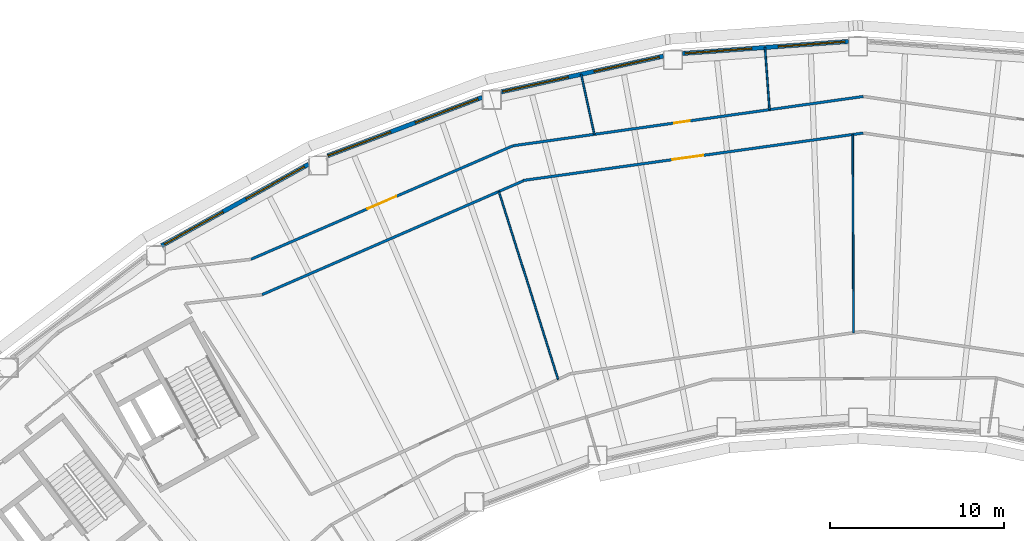
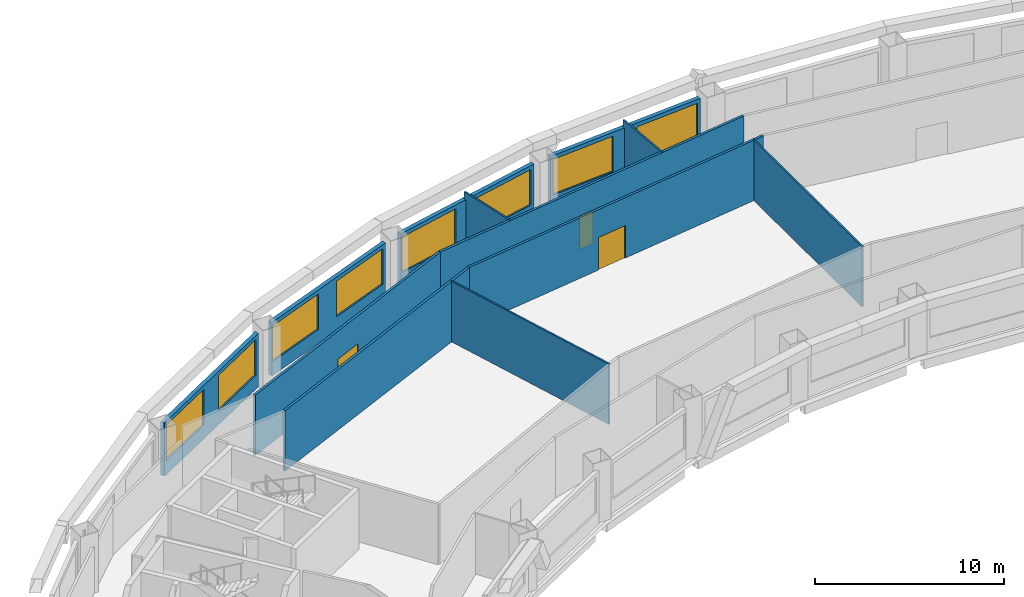
# One storey, part 5 of 12: 12 walls, 8 windows, 3 doors, 11 openings.
"""IFC4 building model written with IfcOpenShell, lengths in metres."""

from ifc_helpers import new_model, si_unit, direction, frame, frame_2d, origin, place, context, subcontext, project, spatial, rectangle, extrude, material, layer, layer_set, type_object, element, fill, save


model = new_model("IFC4")

# Units and contexts
model_context = context("Model", 3, precision=1e-05, world=origin(), true_north=direction((0.0, 1.0)))
body_context = subcontext(model_context, "Body", "Model", "MODEL_VIEW")
ifc_project = project(units=[si_unit("LENGTHUNIT", "METRE"), si_unit("AREAUNIT", "SQUARE_METRE"), si_unit("VOLUMEUNIT", "CUBIC_METRE"), si_unit("PLANEANGLEUNIT", "RADIAN"), si_unit("MASSUNIT", "GRAM", prefix="KILO")], contexts=[model_context])

# Site, building, storey
site_placement = place(None, origin())
site = spatial("IfcSite", under=ifc_project, at=site_placement, CompositionType="ELEMENT")
building_placement = place(site_placement, origin())
building = spatial("IfcBuilding", under=site, at=building_placement, Name="Tuul Gate Civic Tower", CompositionType="ELEMENT")
storey_placement = place(building_placement, frame((0.0, 0.0, 103.5)))
storey = spatial("IfcBuildingStorey", under=building, at=storey_placement, Name="Level 23", CompositionType="ELEMENT", Elevation=103.5)

# Wall, opening, door
ifc_material_1 = material(Name="Gypsum board partition")
ifc_layer_1 = layer(ifc_material_1, 0.14990234375)
ifc_layer_set_1 = layer_set([ifc_layer_1], Name="Gypsum board partition")
wall_type_1 = type_object("IfcWallType", Name="Corridor wall P150", PredefinedType="PARTITIONING", material=ifc_layer_set_1)
wall_1_placement = place(storey_placement, frame((-10.03125, 7.966796875, 0.0), z_axis=(0.0, 0.0, 1.0), x_axis=(0.990230655187, 0.139439053098, 0.0)))
wall_1 = element("IfcWall", 1, at=wall_1_placement, inside=storey, type_object=wall_type_1, Name="p013", PredefinedType="PARTITIONING", context=body_context, shape_type="SweptSolid", body=[
    extrude(rectangle(XDim=20.3662109375, YDim=0.14990234375, at=frame_2d((10.18310546875, 0.0))), origin(), (0.0, 0.0, 1.0), 3.89990234375),
])
opening_1_placement = place(wall_1_placement, frame((9.3759765625, 0.0, 0.0)))
opening_1 = element("IfcOpeningElement", 2, at=opening_1_placement, cuts=wall_1, Name="Opening G-D06", PredefinedType="OPENING", context=body_context, shape_type="SweptSolid", body=[
    extrude(rectangle(XDim=0.89990234375, YDim=2.10009765625, at=frame_2d((0.449951171875, 1.050048828125))), frame((0.0, 0.0849609375, 0.0), z_axis=(0.0, -1.0, 0.0), x_axis=(1.0, 0.0, 0.0)), (0.0, 0.0, 1.0), 0.169921875),
])
ifc_material_2 = material(Name="Timber door leaf", Category="wood")
door_type_1 = type_object("IfcDoorType", Name="Door D09", OperationType="NOTDEFINED", PredefinedType="DOOR", material=ifc_material_2)
door_1_placement = place(opening_1_placement, origin())
door_1 = element("IfcDoor", 3, at=door_1_placement, inside=storey, type_object=door_type_1, Name="Door G-D06", OperationType="SINGLE_SWING_RIGHT", OverallHeight=2.10009765625, OverallWidth=0.89990234375, PredefinedType="DOOR", context=body_context, shape_type="SweptSolid", body=[
    extrude(rectangle(XDim=0.89990234375, YDim=2.10009765625, at=frame_2d((0.449951171875, 1.050048828125))), frame((0.0, 0.02490234375, 0.0), z_axis=(0.0, -1.0, 0.0), x_axis=(1.0, 0.0, 0.0)), (0.0, 0.0, 1.0), 0.050048828125),
])
fill(opening_1, door_1)

wall_2_placement = place(storey_placement, frame((-25.114013671875, 1.4306640625, 0.0), z_axis=(0.0, 0.0, 1.0), x_axis=(0.917549664904, 0.397621192134, 0.0)))
wall_2 = element("IfcWall", 4, at=wall_2_placement, inside=storey, type_object=wall_type_1, Name="p018", PredefinedType="PARTITIONING", context=body_context, shape_type="SweptSolid", body=[
    extrude(rectangle(XDim=16.43798828125, YDim=0.14990234375, at=frame_2d((8.218994140625, 0.0))), origin(), (0.0, 0.0, 1.0), 3.89990234375),
])
opening_2_placement = place(wall_2_placement, frame((7.319091796875, 0.0, 0.0)))
opening_2 = element("IfcOpeningElement", 5, at=opening_2_placement, cuts=wall_2, Name="Opening G-D07", PredefinedType="OPENING", context=body_context, shape_type="SweptSolid", body=[
    extrude(rectangle(XDim=1.800048828125, YDim=2.10009765625, at=frame_2d((0.89990234375, 1.050048828125))), frame((0.0, 0.0849609375, 0.0), z_axis=(0.0, -1.0, 0.0), x_axis=(1.0, 0.0, 0.0)), (0.0, 0.0, 1.0), 0.169921875),
])
ifc_material_3 = material(Name="Timber door leaf, double", Category="wood")
door_type_2 = type_object("IfcDoorType", Name="Door D18", OperationType="DOUBLE_DOOR_SINGLE_SWING", PredefinedType="DOOR", material=ifc_material_3)
door_2_placement = place(opening_2_placement, origin())
door_2 = element("IfcDoor", 6, at=door_2_placement, inside=storey, type_object=door_type_2, Name="Door G-D07", OperationType="DOUBLE_DOOR_SINGLE_SWING", OverallHeight=2.10009765625, OverallWidth=1.800048828125, PredefinedType="DOOR", context=body_context, shape_type="SweptSolid", body=[
    extrude(rectangle(XDim=1.800048828125, YDim=2.10009765625, at=frame_2d((0.89990234375, 1.050048828125))), frame((0.0, 0.02490234375, 0.0), z_axis=(0.0, -1.0, 0.0), x_axis=(1.0, 0.0, 0.0)), (0.0, 0.0, 1.0), 0.050048828125),
])
fill(opening_2, door_2)

wall_3_placement = place(storey_placement, frame((-9.43798828125, 5.972412109375, 0.0), z_axis=(0.0, 0.0, 1.0), x_axis=(0.990422425741, 0.138070339284, 0.0)))
wall_3 = element("IfcWall", 7, at=wall_3_placement, inside=storey, type_object=wall_type_1, Name="p063", PredefinedType="PARTITIONING", context=body_context, shape_type="SweptSolid", body=[
    extrude(rectangle(XDim=19.76171875, YDim=0.14990234375, at=frame_2d((9.880859375, 0.0))), origin(), (0.0, 0.0, 1.0), 3.89990234375),
])
opening_3_placement = place(wall_3_placement, frame((8.675048828125, 0.0, 0.0)))
opening_3 = element("IfcOpeningElement", 8, at=opening_3_placement, cuts=wall_3, Name="Opening G-D18", PredefinedType="OPENING", context=body_context, shape_type="SweptSolid", body=[
    extrude(rectangle(XDim=1.800048828125, YDim=2.10009765625, at=frame_2d((0.89990234375, 1.050048828125))), frame((0.0, 0.0849609375, 0.0), z_axis=(0.0, -1.0, 0.0), x_axis=(1.0, 0.0, 0.0)), (0.0, 0.0, 1.0), 0.169921875),
])
door_3_placement = place(opening_3_placement, frame((1.800048828125, 0.0, 0.0), z_axis=(0.0, 0.0, 1.0), x_axis=(-1.0, 0.0, 0.0)))
door_3 = element("IfcDoor", 9, at=door_3_placement, inside=storey, type_object=door_type_2, Name="Door G-D18", OperationType="DOUBLE_DOOR_SINGLE_SWING", OverallHeight=2.10009765625, OverallWidth=1.800048828125, PredefinedType="DOOR", context=body_context, shape_type="SweptSolid", body=[
    extrude(rectangle(XDim=1.800048828125, YDim=2.10009765625, at=frame_2d((0.900146484375, 1.050048828125))), frame((0.0, 0.02490234375, 0.0), z_axis=(0.0, -1.0, 0.0), x_axis=(1.0, 0.0, 0.0)), (0.0, 0.0, 1.0), 0.050048828125),
])
fill(opening_3, door_3)

# Wall
wall_4_placement = place(storey_placement, frame((-24.46728515625, -0.602294921875, 0.0), z_axis=(0.0, 0.0, 1.0), x_axis=(0.916758742083, 0.399441370935, 0.0)))
element("IfcWall", 10, at=wall_4_placement, inside=storey, type_object=wall_type_1, Name="p071", PredefinedType="PARTITIONING", context=body_context, shape_type="SweptSolid", body=[
    extrude(rectangle(XDim=16.3974609375, YDim=0.14990234375, at=frame_2d((8.19873046875, 0.0))), origin(), (0.0, 0.0, 1.0), 3.89990234375),
])

# Wall, openings, windows
ifc_material_4 = material(Name="Precast concrete C40/50", Category="concrete")
ifc_layer_2 = layer(ifc_material_4, 0.25)
ifc_layer_set_2 = layer_set([ifc_layer_2], Name="Precast concrete C40/50")
wall_type_2 = type_object("IfcWallType", Name="External wall", PredefinedType="STANDARD", material=ifc_layer_set_2)
wall_5_placement = place(storey_placement, frame((9.279052734375, 13.972900390625, 0.0), z_axis=(0.0, 0.0, 1.0), x_axis=(-0.99738031898, -0.072336016692, 0.0)))
wall_5 = element("IfcWall", 11, at=wall_5_placement, inside=storey, type_object=wall_type_2, Name="External wall", PredefinedType="STANDARD", context=body_context, shape_type="SweptSolid", body=[
    extrude(rectangle(XDim=9.5751953125, YDim=0.25, at=frame_2d((4.78759765625, 0.0))), origin(), (0.0, 0.0, 1.0), 3.449951171875),
])
opening_4_placement = place(wall_5_placement, frame((0.2001953125, 0.0, 0.89990234375)))
opening_4 = element("IfcOpeningElement", 12, at=opening_4_placement, cuts=wall_5, Name="Opening W22", PredefinedType="OPENING", context=body_context, shape_type="SweptSolid", body=[
    extrude(rectangle(XDim=3.85009765625, YDim=2.300048828125, at=frame_2d((1.925048828125, 1.14990234375))), frame((0.0, 0.135009765625, 0.0), z_axis=(0.0, -1.0, 0.0), x_axis=(1.0, 0.0, 0.0)), (0.0, 0.0, 1.0), 0.27001953125),
])
opening_5_placement = place(wall_5_placement, frame((5.57177734375, 0.0, 0.89990234375)))
opening_5 = element("IfcOpeningElement", 13, at=opening_5_placement, cuts=wall_5, Name="Opening W22", PredefinedType="OPENING", context=body_context, shape_type="SweptSolid", body=[
    extrude(rectangle(XDim=3.85009765625, YDim=2.300048828125, at=frame_2d((1.925048828125, 1.14990234375))), frame((0.0, 0.135009765625, 0.0), z_axis=(0.0, -1.0, 0.0), x_axis=(1.0, 0.0, 0.0)), (0.0, 0.0, 1.0), 0.27001953125),
])
ifc_material_5 = material(Name="Glass", Category="glass")
window_type = type_object("IfcWindowType", Name="Window W22 3850 x 2300", PartitioningType="SINGLE_PANEL", PredefinedType="WINDOW", material=ifc_material_5)
window_1_placement = place(opening_4_placement, origin())
window_1 = element("IfcWindow", 14, at=window_1_placement, inside=storey, type_object=window_type, Name="Window", OverallHeight=2.300048828125, OverallWidth=3.85009765625, PartitioningType="SINGLE_PANEL", PredefinedType="WINDOW", context=body_context, shape_type="SweptSolid", body=[
    extrude(rectangle(XDim=3.85009765625, YDim=2.300048828125, at=frame_2d((1.925048828125, 1.14990234375))), frame((0.0, 0.030029296875, 0.0), z_axis=(0.0, -1.0, 0.0), x_axis=(1.0, 0.0, 0.0)), (0.0, 0.0, 1.0), 0.06005859375),
])
fill(opening_4, window_1)
window_2_placement = place(opening_5_placement, origin())
window_2 = element("IfcWindow", 15, at=window_2_placement, inside=storey, type_object=window_type, Name="Window", OverallHeight=2.300048828125, OverallWidth=3.85009765625, PartitioningType="SINGLE_PANEL", PredefinedType="WINDOW", context=body_context, shape_type="SweptSolid", body=[
    extrude(rectangle(XDim=3.85009765625, YDim=2.300048828125, at=frame_2d((1.925048828125, 1.14990234375))), frame((0.0, 0.030029296875, 0.0), z_axis=(0.0, -1.0, 0.0), x_axis=(1.0, 0.0, 0.0)), (0.0, 0.0, 1.0), 0.06005859375),
])
fill(opening_5, window_2)

wall_6_placement = place(storey_placement, frame((-1.37109375, 13.126220703125, 0.0), z_axis=(0.0, 0.0, 1.0), x_axis=(-0.976556736289, -0.215260170047, 0.0)))
wall_6 = element("IfcWall", 16, at=wall_6_placement, inside=storey, type_object=wall_type_2, Name="External wall", PredefinedType="STANDARD", context=body_context, shape_type="SweptSolid", body=[
    extrude(rectangle(XDim=9.55078125, YDim=0.25, at=frame_2d((4.775390625, 0.0))), origin(), (0.0, 0.0, 1.0), 3.449951171875),
])
opening_6_placement = place(wall_6_placement, frame((0.236328125, 0.0, 0.89990234375)))
opening_6 = element("IfcOpeningElement", 17, at=opening_6_placement, cuts=wall_6, Name="Opening W22", PredefinedType="OPENING", context=body_context, shape_type="SweptSolid", body=[
    extrude(rectangle(XDim=3.85009765625, YDim=2.300048828125, at=frame_2d((1.925048828125, 1.14990234375))), frame((0.0, 0.135009765625, 0.0), z_axis=(0.0, -1.0, 0.0), x_axis=(1.0, 0.0, 0.0)), (0.0, 0.0, 1.0), 0.27001953125),
])
opening_7_placement = place(wall_6_placement, frame((5.607177734375, 0.0, 0.89990234375)))
opening_7 = element("IfcOpeningElement", 18, at=opening_7_placement, cuts=wall_6, Name="Opening W22", PredefinedType="OPENING", context=body_context, shape_type="SweptSolid", body=[
    extrude(rectangle(XDim=3.85009765625, YDim=2.300048828125, at=frame_2d((1.925048828125, 1.14990234375))), frame((0.0, 0.135009765625, 0.0), z_axis=(0.0, -1.0, 0.0), x_axis=(1.0, 0.0, 0.0)), (0.0, 0.0, 1.0), 0.27001953125),
])
window_3_placement = place(opening_6_placement, origin())
window_3 = element("IfcWindow", 19, at=window_3_placement, inside=storey, type_object=window_type, Name="Window", OverallHeight=2.300048828125, OverallWidth=3.85009765625, PartitioningType="SINGLE_PANEL", PredefinedType="WINDOW", context=body_context, shape_type="SweptSolid", body=[
    extrude(rectangle(XDim=3.85009765625, YDim=2.300048828125, at=frame_2d((1.925048828125, 1.14990234375))), frame((0.0, 0.030029296875, 0.0), z_axis=(0.0, -1.0, 0.0), x_axis=(1.0, 0.0, 0.0)), (0.0, 0.0, 1.0), 0.06005859375),
])
fill(opening_6, window_3)
window_4_placement = place(opening_7_placement, origin())
window_4 = element("IfcWindow", 20, at=window_4_placement, inside=storey, type_object=window_type, Name="Window", OverallHeight=2.300048828125, OverallWidth=3.85009765625, PartitioningType="SINGLE_PANEL", PredefinedType="WINDOW", context=body_context, shape_type="SweptSolid", body=[
    extrude(rectangle(XDim=3.85009765625, YDim=2.300048828125, at=frame_2d((1.925048828125, 1.14990234375))), frame((0.0, 0.030029296875, 0.0), z_axis=(0.0, -1.0, 0.0), x_axis=(1.0, 0.0, 0.0)), (0.0, 0.0, 1.0), 0.06005859375),
])
fill(opening_7, window_4)

wall_7_placement = place(storey_placement, frame((-11.798095703125, 10.755859375, 0.0), z_axis=(0.0, 0.0, 1.0), x_axis=(-0.935382365762, -0.353637992617, 0.0)))
wall_7 = element("IfcWall", 21, at=wall_7_placement, inside=storey, type_object=wall_type_2, Name="External wall", PredefinedType="STANDARD", context=body_context, shape_type="SweptSolid", body=[
    extrude(rectangle(XDim=9.51806640625, YDim=0.25, at=frame_2d((4.759033203125, 0.0))), origin(), (0.0, 0.0, 1.0), 3.449951171875),
])
opening_8_placement = place(wall_7_placement, frame((0.262451171875, 0.0, 0.89990234375)))
opening_8 = element("IfcOpeningElement", 22, at=opening_8_placement, cuts=wall_7, Name="Opening W22", PredefinedType="OPENING", context=body_context, shape_type="SweptSolid", body=[
    extrude(rectangle(XDim=3.85009765625, YDim=2.300048828125, at=frame_2d((1.925048828125, 1.14990234375))), frame((0.0, 0.135009765625, 0.0), z_axis=(0.0, -1.0, 0.0), x_axis=(1.0, 0.0, 0.0)), (0.0, 0.0, 1.0), 0.27001953125),
])
opening_9_placement = place(wall_7_placement, frame((5.634033203125, 0.0, 0.89990234375)))
opening_9 = element("IfcOpeningElement", 23, at=opening_9_placement, cuts=wall_7, Name="Opening W22", PredefinedType="OPENING", context=body_context, shape_type="SweptSolid", body=[
    extrude(rectangle(XDim=3.85009765625, YDim=2.300048828125, at=frame_2d((1.925048828125, 1.14990234375))), frame((0.0, 0.135009765625, 0.0), z_axis=(0.0, -1.0, 0.0), x_axis=(1.0, 0.0, 0.0)), (0.0, 0.0, 1.0), 0.27001953125),
])
window_5_placement = place(opening_8_placement, origin())
window_5 = element("IfcWindow", 24, at=window_5_placement, inside=storey, type_object=window_type, Name="Window", OverallHeight=2.300048828125, OverallWidth=3.85009765625, PartitioningType="SINGLE_PANEL", PredefinedType="WINDOW", context=body_context, shape_type="SweptSolid", body=[
    extrude(rectangle(XDim=3.85009765625, YDim=2.300048828125, at=frame_2d((1.925048828125, 1.14990234375))), frame((0.0, 0.030029296875, 0.0), z_axis=(0.0, -1.0, 0.0), x_axis=(1.0, 0.0, 0.0)), (0.0, 0.0, 1.0), 0.06005859375),
])
fill(opening_8, window_5)
window_6_placement = place(opening_9_placement, origin())
window_6 = element("IfcWindow", 25, at=window_6_placement, inside=storey, type_object=window_type, Name="Window", OverallHeight=2.300048828125, OverallWidth=3.85009765625, PartitioningType="SINGLE_PANEL", PredefinedType="WINDOW", context=body_context, shape_type="SweptSolid", body=[
    extrude(rectangle(XDim=3.85009765625, YDim=2.300048828125, at=frame_2d((1.925048828125, 1.14990234375))), frame((0.0, 0.030029296875, 0.0), z_axis=(0.0, -1.0, 0.0), x_axis=(1.0, 0.0, 0.0)), (0.0, 0.0, 1.0), 0.06005859375),
])
fill(opening_9, window_6)

wall_8_placement = place(storey_placement, frame((-21.784912109375, 6.907470703125, 0.0), z_axis=(0.0, 0.0, 1.0), x_axis=(-0.874619623874, -0.484809770461, 0.0)))
wall_8 = element("IfcWall", 26, at=wall_8_placement, inside=storey, type_object=wall_type_2, Name="External wall", PredefinedType="STANDARD", context=body_context, shape_type="SweptSolid", body=[
    extrude(rectangle(XDim=9.680908203125, YDim=0.25, at=frame_2d((4.84033203125, 0.0))), origin(), (0.0, 0.0, 1.0), 3.449951171875),
])
opening_10_placement = place(wall_8_placement, frame((0.279541015625, 0.0, 0.89990234375)))
opening_10 = element("IfcOpeningElement", 27, at=opening_10_placement, cuts=wall_8, Name="Opening W22", PredefinedType="OPENING", context=body_context, shape_type="SweptSolid", body=[
    extrude(rectangle(XDim=3.85009765625, YDim=2.300048828125, at=frame_2d((1.925048828125, 1.14990234375))), frame((0.0, 0.135009765625, 0.0), z_axis=(0.0, -1.0, 0.0), x_axis=(1.0, 0.0, 0.0)), (0.0, 0.0, 1.0), 0.27001953125),
])
opening_11_placement = place(wall_8_placement, frame((5.650634765625, 0.0, 0.89990234375)))
opening_11 = element("IfcOpeningElement", 28, at=opening_11_placement, cuts=wall_8, Name="Opening W22", PredefinedType="OPENING", context=body_context, shape_type="SweptSolid", body=[
    extrude(rectangle(XDim=3.85009765625, YDim=2.300048828125, at=frame_2d((1.925048828125, 1.14990234375))), frame((0.0, 0.135009765625, 0.0), z_axis=(0.0, -1.0, 0.0), x_axis=(1.0, 0.0, 0.0)), (0.0, 0.0, 1.0), 0.27001953125),
])
window_7_placement = place(opening_10_placement, origin())
window_7 = element("IfcWindow", 29, at=window_7_placement, inside=storey, type_object=window_type, Name="Window", OverallHeight=2.300048828125, OverallWidth=3.85009765625, PartitioningType="SINGLE_PANEL", PredefinedType="WINDOW", context=body_context, shape_type="SweptSolid", body=[
    extrude(rectangle(XDim=3.85009765625, YDim=2.300048828125, at=frame_2d((1.925048828125, 1.14990234375))), frame((0.0, 0.030029296875, 0.0), z_axis=(0.0, -1.0, 0.0), x_axis=(1.0, 0.0, 0.0)), (0.0, 0.0, 1.0), 0.06005859375),
])
fill(opening_10, window_7)
window_8_placement = place(opening_11_placement, origin())
window_8 = element("IfcWindow", 30, at=window_8_placement, inside=storey, type_object=window_type, Name="Window", OverallHeight=2.300048828125, OverallWidth=3.85009765625, PartitioningType="SINGLE_PANEL", PredefinedType="WINDOW", context=body_context, shape_type="SweptSolid", body=[
    extrude(rectangle(XDim=3.85009765625, YDim=2.300048828125, at=frame_2d((1.925048828125, 1.14990234375))), frame((0.0, 0.030029296875, 0.0), z_axis=(0.0, -1.0, 0.0), x_axis=(1.0, 0.0, 0.0)), (0.0, 0.0, 1.0), 0.06005859375),
])
fill(opening_11, window_8)

# Walls
ifc_material_6 = material(Name="Gypsum board partition")
ifc_layer_3 = layer(ifc_material_6, 0.10009765625)
ifc_layer_set_3 = layer_set([ifc_layer_3], Name="Gypsum board partition")
wall_type_3 = type_object("IfcWallType", Name="Partition P100", PredefinedType="PARTITIONING", material=ifc_layer_set_3)
wall_9_placement = place(storey_placement, frame((4.480224609375, 13.6298828125, 0.0), z_axis=(0.0, 0.0, 1.0), x_axis=(0.072237031078, -0.997387493074, 0.0)))
element("IfcWall", 31, at=wall_9_placement, inside=storey, type_object=wall_type_3, Name="p012", PredefinedType="PARTITIONING", context=body_context, shape_type="SweptSolid", body=[
    extrude(rectangle(XDim=3.592529296875, YDim=0.10009765625, at=frame_2d((1.79638671875, 0.0))), origin(), (0.0, 0.0, 1.0), 3.89990234375),
])
wall_10_placement = place(storey_placement, frame((-6.105224609375, 12.087890625, 0.0), z_axis=(0.0, 0.0, 1.0), x_axis=(0.215274407, -0.976553597961, 0.0)))
element("IfcWall", 32, at=wall_10_placement, inside=storey, type_object=wall_type_3, Name="p015", PredefinedType="PARTITIONING", context=body_context, shape_type="SweptSolid", body=[
    extrude(rectangle(XDim=3.5439453125, YDim=0.10009765625, at=frame_2d((1.77197265625, 0.0))), origin(), (0.0, 0.0, 1.0), 3.89990234375),
])
wall_11_placement = place(storey_placement, frame((9.528564453125, 8.616455078125, 0.0), z_axis=(0.0, 0.0, 1.0), x_axis=(0.004364061555, -0.999990477438, 0.0)))
element("IfcWall", 33, at=wall_11_placement, inside=storey, type_object=wall_type_3, Name="p062", PredefinedType="PARTITIONING", context=body_context, shape_type="SweptSolid", body=[
    extrude(rectangle(XDim=11.412353515625, YDim=0.10009765625, at=frame_2d((5.7060546875, 0.0))), origin(), (0.0, 0.0, 1.0), 3.89990234375),
])
wall_12_placement = place(storey_placement, frame((-10.83837890625, 5.3359375, 0.0), z_axis=(0.0, 0.0, 1.0), x_axis=(0.300704788197, -0.953717269611, 0.0)))
element("IfcWall", 34, at=wall_12_placement, inside=storey, type_object=wall_type_3, Name="p070", PredefinedType="PARTITIONING", context=body_context, shape_type="SweptSolid", body=[
    extrude(rectangle(XDim=11.340576171875, YDim=0.10009765625, at=frame_2d((5.67041015625, 0.0))), origin(), (0.0, 0.0, 1.0), 3.89990234375),
])

save(model, "model.ifc")
